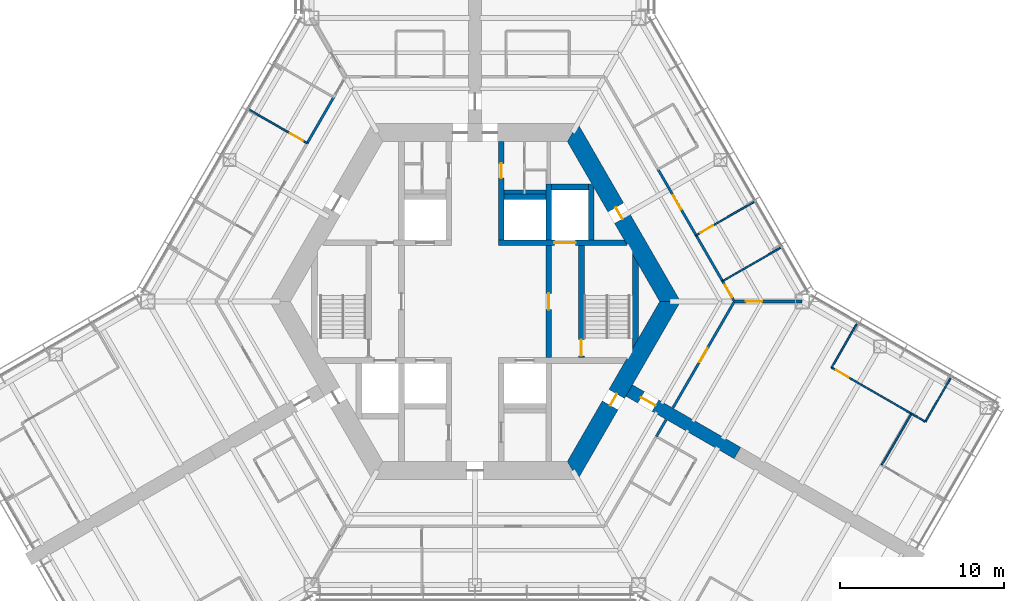
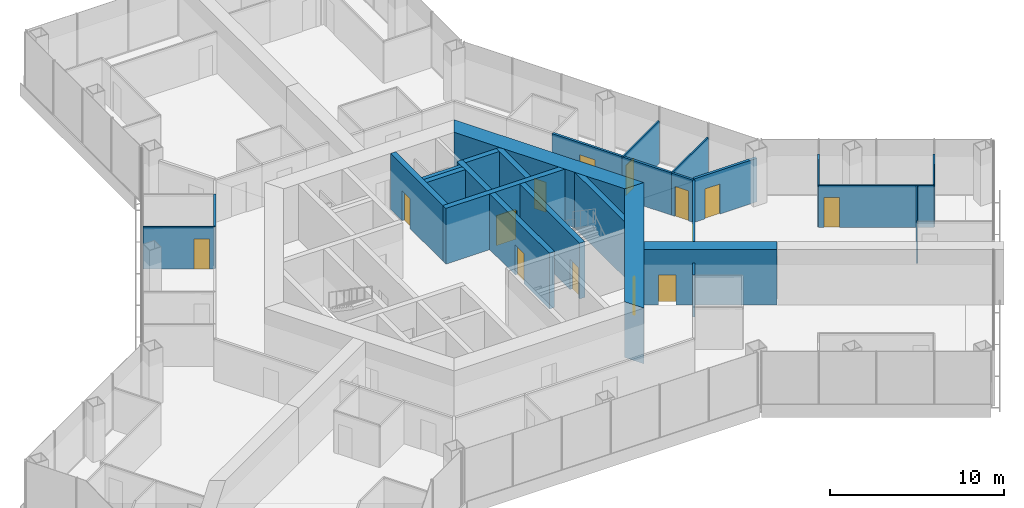
# One storey, part 14 of 19: 28 walls, 14 doors, 14 openings.
"""IFC4 building model written with IfcOpenShell, lengths in metres."""

from ifc_helpers import new_model, si_unit, direction, frame, frame_2d, origin, place, context, subcontext, project, spatial, polyline, rectangle, outline, extrude, material, layer, layer_set, type_object, element, fill, save


model = new_model("IFC4")

# Units and contexts
model_context = context("Model", 3, precision=1e-05, world=origin(), true_north=direction((0.0, 1.0)))
body_context = subcontext(model_context, "Body", "Model", "MODEL_VIEW")
ifc_project = project(units=[si_unit("LENGTHUNIT", "METRE"), si_unit("AREAUNIT", "SQUARE_METRE"), si_unit("VOLUMEUNIT", "CUBIC_METRE"), si_unit("PLANEANGLEUNIT", "RADIAN"), si_unit("MASSUNIT", "GRAM", prefix="KILO")], contexts=[model_context])

# Site, building, storey
site_placement = place(None, origin())
site = spatial("IfcSite", under=ifc_project, at=site_placement, CompositionType="ELEMENT")
building_placement = place(site_placement, origin())
building = spatial("IfcBuilding", under=site, at=building_placement, Name="Kasaneha Research Tower", CompositionType="ELEMENT")
storey_placement = place(building_placement, frame((0.0, 0.0, 104.10009765625)))
storey = spatial("IfcBuildingStorey", under=building, at=storey_placement, Name="L26", CompositionType="ELEMENT", Elevation=104.10009765625)

# Wall, opening, door
ifc_material_1 = material(Name="Concrete Fc80", Category="concrete")
ifc_layer_1 = layer(ifc_material_1, 0.35009765625)
ifc_layer_set_1 = layer_set([ifc_layer_1], Name="Core internal wall 350 Fc80")
wall_type_1 = type_object("IfcWallType", Name="Core internal wall 350 Fc80", PredefinedType="SHEAR", material=ifc_layer_set_1)
wall_1_placement = place(storey_placement, frame((1.425048828125, 3.60009765625, 0.0), z_axis=(0.0, 0.0, 1.0), x_axis=(1.0, 0.0, 0.0)))
wall_1 = element("IfcWall", 1, at=wall_1_placement, inside=storey, type_object=wall_type_1, Name="Core wall W1E L26", PredefinedType="SHEAR", context=body_context, shape_type="SweptSolid", body=[
    extrude(outline(polyline([(0.0, -0.175048828125), (3.425048828125, -0.175048828125), (4.72509765625, -0.175048828125), (7.884765625, -0.175048828125), (7.6826171875, 0.175048828125), (4.72509765625, 0.175048828125), (3.425048828125, 0.175048828125), (0.0, 0.175048828125), (0.0, -0.175048828125)])), origin(), (0.0, 0.0, 1.0), 3.89990234375),
])
opening_1_placement = place(wall_1_placement, frame((3.425048828125, 0.0, 0.0)))
opening_1 = element("IfcOpeningElement", 2, at=opening_1_placement, cuts=wall_1, Name="Opening LD-FL1-L26", PredefinedType="OPENING", context=body_context, shape_type="SweptSolid", body=[
    extrude(rectangle(XDim=1.300048828125, YDim=2.10009765625, at=frame_2d((0.64990234375, 1.050048828125))), frame((0.0, 0.18505859375, 0.0), z_axis=(0.0, -1.0, 0.0), x_axis=(1.0, 0.0, 0.0)), (0.0, 0.0, 1.0), 0.3701171875),
])
ifc_material_2 = material(Name="Steel", Category="steel")
door_type_1 = type_object("IfcDoorType", Name="Lift landing door 1300x2100", OperationType="DOUBLE_DOOR_SLIDING", PredefinedType="DOOR", material=ifc_material_2)
door_1_placement = place(opening_1_placement, origin())
door_1 = element("IfcDoor", 3, at=door_1_placement, inside=storey, type_object=door_type_1, Name="Landing door FL1 LD-FL1-L26", OperationType="DOUBLE_DOOR_SLIDING", OverallHeight=2.10009765625, OverallWidth=1.300048828125, PredefinedType="DOOR", context=body_context, shape_type="SweptSolid", body=[
    extrude(rectangle(XDim=1.300048828125, YDim=2.10009765625, at=frame_2d((0.64990234375, 1.050048828125))), frame((0.0, 0.02490234375, 0.0), z_axis=(0.0, -1.0, 0.0), x_axis=(1.0, 0.0, 0.0)), (0.0, 0.0, 1.0), 0.050048828125),
])
fill(opening_1, door_1)

wall_2_placement = place(storey_placement, frame((1.60009765625, 3.77490234375, 0.0), z_axis=(0.0, 0.0, 1.0), x_axis=(0.0, 1.0, 0.0)))
wall_2 = element("IfcWall", 4, at=wall_2_placement, inside=storey, type_object=wall_type_1, Name="Core wall CNE L26", PredefinedType="SHEAR", context=body_context, shape_type="SweptSolid", body=[
    extrude(rectangle(XDim=6.0, YDim=0.35009765625, at=frame_2d((3.0, 0.0))), origin(), (0.0, 0.0, 1.0), 3.89990234375),
])
opening_2_placement = place(wall_2_placement, frame((3.77490234375, 0.0, 0.0)))
opening_2 = element("IfcOpeningElement", 5, at=opening_2_placement, cuts=wall_2, Name="Opening L26-D14", PredefinedType="OPENING", context=body_context, shape_type="SweptSolid", body=[
    extrude(rectangle(XDim=0.89990234375, YDim=2.10009765625, at=frame_2d((0.449951171875, 1.050048828125))), frame((0.0, 0.18505859375, 0.0), z_axis=(0.0, -1.0, 0.0), x_axis=(1.0, 0.0, 0.0)), (0.0, 0.0, 1.0), 0.3701171875),
])
ifc_material_3 = material(Name="Steel", Category="steel")
door_type_2 = type_object("IfcDoorType", Name="Toilet door FD20 900x2100", OperationType="NOTDEFINED", PredefinedType="DOOR", material=ifc_material_3)
door_2_placement = place(opening_2_placement, origin())
door_2 = element("IfcDoor", 6, at=door_2_placement, inside=storey, type_object=door_type_2, Name="Women's WC door L26-D14", OperationType="SINGLE_SWING_LEFT", OverallHeight=2.10009765625, OverallWidth=0.89990234375, PredefinedType="DOOR", context=body_context, shape_type="SweptSolid", body=[
    extrude(rectangle(XDim=0.89990234375, YDim=2.10009765625, at=frame_2d((0.449951171875, 1.050048828125))), frame((0.0, 0.02490234375, 0.0), z_axis=(0.0, -1.0, 0.0), x_axis=(1.0, 0.0, 0.0)), (0.0, 0.0, 1.0), 0.050048828125),
])
fill(opening_2, door_2)

wall_3_placement = place(storey_placement, frame((4.5, -3.425048828125, 0.0), z_axis=(0.0, 0.0, 1.0), x_axis=(0.0, 1.0, 0.0)))
wall_3 = element("IfcWall", 7, at=wall_3_placement, inside=storey, type_object=wall_type_1, Name="Core wall LBE L26", PredefinedType="SHEAR", context=body_context, shape_type="SweptSolid", body=[
    extrude(rectangle(XDim=6.85009765625, YDim=0.35009765625, at=frame_2d((3.425048828125, 0.0))), origin(), (0.0, 0.0, 1.0), 3.89990234375),
])
opening_3_placement = place(wall_3_placement, frame((2.925048828125, 0.0, 0.0)))
opening_3 = element("IfcOpeningElement", 8, at=opening_3_placement, cuts=wall_3, Name="Opening L26-D08", PredefinedType="OPENING", context=body_context, shape_type="SweptSolid", body=[
    extrude(rectangle(XDim=1.0, YDim=2.10009765625, at=frame_2d((0.5, 1.050048828125))), frame((0.0, 0.18505859375, 0.0), z_axis=(0.0, -1.0, 0.0), x_axis=(1.0, 0.0, 0.0)), (0.0, 0.0, 1.0), 0.3701171875),
])
ifc_material_4 = material(Name="Steel", Category="steel")
door_type_3 = type_object("IfcDoorType", Name="Specified fire door FD60 1000x2100", OperationType="NOTDEFINED", PredefinedType="DOOR", material=ifc_material_4)
door_3_placement = place(opening_3_placement, origin())
door_3 = element("IfcDoor", 9, at=door_3_placement, inside=storey, type_object=door_type_3, Name="Lift lobby door east L26-D08", OperationType="SINGLE_SWING_LEFT", OverallHeight=2.10009765625, OverallWidth=1.0, PredefinedType="DOOR", context=body_context, shape_type="SweptSolid", body=[
    extrude(rectangle(XDim=1.0, YDim=2.10009765625, at=frame_2d((0.5, 1.050048828125))), frame((0.0, 0.02490234375, 0.0), z_axis=(0.0, -1.0, 0.0), x_axis=(1.0, 0.0, 0.0)), (0.0, 0.0, 1.0), 0.050048828125),
])
fill(opening_3, door_3)

wall_4_placement = place(storey_placement, frame((6.5, -3.425048828125, 0.0), z_axis=(0.0, 0.0, 1.0), x_axis=(0.0, 1.0, 0.0)))
wall_4 = element("IfcWall", 10, at=wall_4_placement, inside=storey, type_object=wall_type_1, Name="Core wall ANE L26", PredefinedType="SHEAR", context=body_context, shape_type="SweptSolid", body=[
    extrude(rectangle(XDim=6.85009765625, YDim=0.35009765625, at=frame_2d((3.425048828125, 0.0))), origin(), (0.0, 0.0, 1.0), 3.89990234375),
])
opening_4_placement = place(wall_4_placement, frame((0.10009765625, 0.0, 0.0)))
opening_4 = element("IfcOpeningElement", 11, at=opening_4_placement, cuts=wall_4, Name="Opening L26-D10", PredefinedType="OPENING", context=body_context, shape_type="SweptSolid", body=[
    extrude(rectangle(XDim=1.0, YDim=2.10009765625, at=frame_2d((0.5, 1.050048828125))), frame((0.0, 0.18505859375, 0.0), z_axis=(0.0, -1.0, 0.0), x_axis=(1.0, 0.0, 0.0)), (0.0, 0.0, 1.0), 0.3701171875),
])
door_4_placement = place(opening_4_placement, origin())
door_4 = element("IfcDoor", 12, at=door_4_placement, inside=storey, type_object=door_type_3, Name="Stair 1 door L26-D10", OperationType="SINGLE_SWING_LEFT", OverallHeight=2.10009765625, OverallWidth=1.0, PredefinedType="DOOR", context=body_context, shape_type="SweptSolid", body=[
    extrude(rectangle(XDim=1.0, YDim=2.10009765625, at=frame_2d((0.5, 1.050048828125))), frame((0.0, 0.02490234375, 0.0), z_axis=(0.0, -1.0, 0.0), x_axis=(1.0, 0.0, 0.0)), (0.0, 0.0, 1.0), 0.050048828125),
])
fill(opening_4, door_4)

# Walls
wall_5_placement = place(storey_placement, frame((4.5, 3.77490234375, 0.0), z_axis=(0.0, 0.0, 1.0), x_axis=(0.0, 1.0, 0.0)))
element("IfcWall", 13, at=wall_5_placement, inside=storey, type_object=wall_type_1, Name="Core wall FNE L26", PredefinedType="SHEAR", context=body_context, shape_type="SweptSolid", body=[
    extrude(rectangle(XDim=3.400146484375, YDim=0.35009765625, at=frame_2d((1.7001953125, 0.0))), origin(), (0.0, 0.0, 1.0), 3.89990234375),
])
wall_6_placement = place(storey_placement, frame((1.77490234375, 6.39990234375, 0.0), z_axis=(0.0, 0.0, 1.0), x_axis=(1.0, 0.0, 0.0)))
element("IfcWall", 14, at=wall_6_placement, inside=storey, type_object=wall_type_1, Name="Core wall N3N L26", PredefinedType="SHEAR", context=body_context, shape_type="SweptSolid", body=[
    extrude(rectangle(XDim=2.550048828125, YDim=0.35009765625, at=frame_2d((1.27490234375, 0.0))), origin(), (0.0, 0.0, 1.0), 3.89990234375),
])
wall_7_placement = place(storey_placement, frame((4.675048828125, 7.0, 0.0), z_axis=(0.0, 0.0, 1.0), x_axis=(1.0, 0.0, 0.0)))
element("IfcWall", 15, at=wall_7_placement, inside=storey, type_object=wall_type_1, Name="Core wall F1N L26", PredefinedType="SHEAR", context=body_context, shape_type="SweptSolid", body=[
    extrude(rectangle(XDim=2.25, YDim=0.35009765625, at=frame_2d((1.125, 0.0))), origin(), (0.0, 0.0, 1.0), 3.89990234375),
])
wall_8_placement = place(storey_placement, frame((7.10009765625, 3.77490234375, 0.0), z_axis=(0.0, 0.0, 1.0), x_axis=(0.0, 1.0, 0.0)))
element("IfcWall", 16, at=wall_8_placement, inside=storey, type_object=wall_type_1, Name="Core wall F1E L26", PredefinedType="SHEAR", context=body_context, shape_type="SweptSolid", body=[
    extrude(outline(polyline([(0.0, -0.175048828125), (3.174560546875, -0.175048828125), (3.400146484375, 0.0), (3.400146484375, 0.175048828125), (0.0, 0.175048828125), (0.0, -0.175048828125)])), origin(), (0.0, 0.0, 1.0), 3.89990234375),
])
wall_9_placement = place(storey_placement, frame((9.807861328125, -2.562255859375, 0.0), z_axis=(0.0, 0.0, 1.0), x_axis=(0.0, 1.0, 0.0)))
element("IfcWall", 17, at=wall_9_placement, inside=storey, type_object=wall_type_1, Name="Core wall STE L26", PredefinedType="SHEAR", context=body_context, shape_type="SweptSolid", body=[
    extrude(outline(polyline([(0.30322265625, -0.175048828125), (4.8212890625, -0.175048828125), (5.427734375, 0.175048828125), (-0.30322265625, 0.175048828125), (0.30322265625, -0.175048828125)])), origin(), (0.0, 0.0, 1.0), 3.89990234375),
])

# Wall, opening, door
ifc_material_5 = material(Name="Concrete Fc80", Category="concrete")
ifc_layer_2 = layer(ifc_material_5, 1.10009765625)
ifc_layer_set_2 = layer_set([ifc_layer_2], Name="Core wall 1100 Fc80")
wall_type_2 = type_object("IfcWallType", Name="Core wall 1100 Fc80", PredefinedType="SHEAR", material=ifc_layer_set_2)
wall_10_placement = place(storey_placement, frame((11.92236328125, 0.0, 0.0), z_axis=(0.0, 0.0, 1.0), x_axis=(-0.500004296715, 0.866022923061, 0.0)))
wall_10 = element("IfcWall", 18, at=wall_10_placement, inside=storey, type_object=wall_type_2, Name="Core wall 030 L26", PredefinedType="SHEAR", context=body_context, shape_type="SweptSolid", body=[
    extrude(outline(polyline([(-0.317626953125, -0.550048828125), (5.83544921875, -0.550048828125), (6.635498046875, -0.550048828125), (12.239990234375, -0.550048828125), (11.604736328125, 0.550048828125), (6.635498046875, 0.550048828125), (5.83544921875, 0.550048828125), (0.317626953125, 0.550048828125), (-0.317626953125, -0.550048828125)])), origin(), (0.0, 0.0, 1.0), 3.89990234375),
])
opening_5_placement = place(wall_10_placement, frame((5.83544921875, 0.0, 0.0)))
opening_5 = element("IfcOpeningElement", 19, at=opening_5_placement, cuts=wall_10, Name="Opening L26-D04", PredefinedType="OPENING", context=body_context, shape_type="SweptSolid", body=[
    extrude(rectangle(XDim=0.800048828125, YDim=2.10009765625, at=frame_2d((0.39990234375, 1.050048828125))), frame((0.0, 0.56005859375, 0.0), z_axis=(0.0, -1.0, 0.0), x_axis=(1.0, 0.0, 0.0)), (0.0, 0.0, 1.0), 1.1201171875),
])
ifc_material_6 = material(Name="Steel", Category="steel")
door_type_4 = type_object("IfcDoorType", Name="Riser access door FD60 800x2100", OperationType="NOTDEFINED", PredefinedType="DOOR", material=ifc_material_6)
door_5_placement = place(opening_5_placement, origin())
door_5 = element("IfcDoor", 20, at=door_5_placement, inside=storey, type_object=door_type_4, Name="Pipe riser door L26-D04", OperationType="SINGLE_SWING_RIGHT", OverallHeight=2.10009765625, OverallWidth=0.800048828125, PredefinedType="DOOR", context=body_context, shape_type="SweptSolid", body=[
    extrude(rectangle(XDim=0.800048828125, YDim=2.10009765625, at=frame_2d((0.39990234375, 1.050048828125))), frame((0.0, 0.02490234375, 0.0), z_axis=(0.0, -1.0, 0.0), x_axis=(1.0, 0.0, 0.0)), (0.0, 0.0, 1.0), 0.050048828125),
])
fill(opening_5, door_5)

wall_11_placement = place(storey_placement, frame((5.961181640625, -10.324951171875, 0.0), z_axis=(0.0, 0.0, 1.0), x_axis=(0.500004296715, 0.866022923061, 0.0)))
wall_11 = element("IfcWall", 21, at=wall_11_placement, inside=storey, type_object=wall_type_2, Name="Core wall 330 L26", PredefinedType="SHEAR", context=body_context, shape_type="SweptSolid", body=[
    extrude(outline(polyline([(-0.317626953125, -0.550048828125), (4.593994140625, -0.550048828125), (5.39404296875, -0.550048828125), (12.239990234375, -0.550048828125), (11.604736328125, 0.550048828125), (5.39404296875, 0.550048828125), (4.593994140625, 0.550048828125), (0.317626953125, 0.550048828125), (-0.317626953125, -0.550048828125)])), origin(), (0.0, 0.0, 1.0), 3.89990234375),
])
opening_6_placement = place(wall_11_placement, frame((4.593994140625, 0.0, 0.0)))
opening_6 = element("IfcOpeningElement", 22, at=opening_6_placement, cuts=wall_11, Name="Opening L26-D05", PredefinedType="OPENING", context=body_context, shape_type="SweptSolid", body=[
    extrude(rectangle(XDim=0.800048828125, YDim=2.10009765625, at=frame_2d((0.39990234375, 1.050048828125))), frame((0.0, 0.56005859375, 0.0), z_axis=(0.0, -1.0, 0.0), x_axis=(1.0, 0.0, 0.0)), (0.0, 0.0, 1.0), 1.1201171875),
])
door_6_placement = place(opening_6_placement, origin())
door_6 = element("IfcDoor", 23, at=door_6_placement, inside=storey, type_object=door_type_4, Name="Pipe riser door L26-D05", OperationType="SINGLE_SWING_LEFT", OverallHeight=2.10009765625, OverallWidth=0.800048828125, PredefinedType="DOOR", context=body_context, shape_type="SweptSolid", body=[
    extrude(rectangle(XDim=0.800048828125, YDim=2.10009765625, at=frame_2d((0.39990234375, 1.050048828125))), frame((0.0, 0.02490234375, 0.0), z_axis=(0.0, -1.0, 0.0), x_axis=(1.0, 0.0, 0.0)), (0.0, 0.0, 1.0), 0.050048828125),
])
fill(opening_6, door_6)

# Wall
ifc_material_7 = material(Name="Gypsum board on steel studs, one layer each side", Category="steel")
ifc_layer_3 = layer(ifc_material_7, 0.10009765625)
ifc_layer_set_3 = layer_set([ifc_layer_3], Name="Office partition 100")
wall_type_3 = type_object("IfcWallType", Name="Office partition 100", PredefinedType="PARTITIONING", material=ifc_layer_set_3)
wall_12_placement = place(storey_placement, frame((18.662109375, 3.27734375, 0.0), z_axis=(0.0, 0.0, 1.0), x_axis=(-0.866635015839, -0.498942631293, 0.0)))
element("IfcWall", 24, at=wall_12_placement, inside=storey, type_object=wall_type_3, Name="Office partition FAE21 L26", PredefinedType="PARTITIONING", context=body_context, shape_type="SweptSolid", body=[
    extrude(rectangle(XDim=4.075439453125, YDim=0.10009765625, at=frame_2d((2.03759765625, 0.0))), origin(), (0.0, 0.0, 1.0), 2.949951171875),
])

# Wall, opening, door
wall_13_placement = place(storey_placement, frame((13.51171875, 4.047119140625, 0.0), z_axis=(0.0, 0.0, 1.0), x_axis=(0.865456213931, 0.500984572385, 0.0)))
wall_13 = element("IfcWall", 25, at=wall_13_placement, inside=storey, type_object=wall_type_3, Name="Office partition FAE22 L26", PredefinedType="PARTITIONING", context=body_context, shape_type="SweptSolid", body=[
    extrude(rectangle(XDim=4.095458984375, YDim=0.10009765625, at=frame_2d((2.0478515625, 0.0))), origin(), (0.0, 0.0, 1.0), 2.949951171875),
])
opening_7_placement = place(wall_13_placement, frame((0.300048828125, 0.0, 0.0)))
opening_7 = element("IfcOpeningElement", 26, at=opening_7_placement, cuts=wall_13, Name="Opening L26-D34", PredefinedType="OPENING", context=body_context, shape_type="SweptSolid", body=[
    extrude(rectangle(XDim=0.89990234375, YDim=2.10009765625, at=frame_2d((0.449951171875, 1.050048828125))), frame((0.0, 0.06005859375, 0.0), z_axis=(0.0, -1.0, 0.0), x_axis=(1.0, 0.0, 0.0)), (0.0, 0.0, 1.0), 0.1201171875),
])
ifc_material_8 = material(Name="Timber veneer", Category="wood")
door_type_5 = type_object("IfcDoorType", Name="Office door 900x2100", OperationType="SINGLE_SWING_LEFT", PredefinedType="DOOR", material=ifc_material_8)
door_7_placement = place(opening_7_placement, origin())
door_7 = element("IfcDoor", 27, at=door_7_placement, inside=storey, type_object=door_type_5, Name="Reception room door L26-D34", OperationType="SINGLE_SWING_LEFT", OverallHeight=2.10009765625, OverallWidth=0.89990234375, PredefinedType="DOOR", context=body_context, shape_type="SweptSolid", body=[
    extrude(rectangle(XDim=0.89990234375, YDim=2.10009765625, at=frame_2d((0.449951171875, 1.050048828125))), frame((0.0, 0.02490234375, 0.0), z_axis=(0.0, -1.0, 0.0), x_axis=(1.0, 0.0, 0.0)), (0.0, 0.0, 1.0), 0.050048828125),
])
fill(opening_7, door_7)

wall_14_placement = place(storey_placement, frame((-10.2607421875, 9.677734375, 0.0), z_axis=(0.0, 0.0, 1.0), x_axis=(-0.866571988865, 0.499052089581, 0.0)))
wall_14 = element("IfcWall", 28, at=wall_14_placement, inside=storey, type_object=wall_type_3, Name="Office partition FBN16 L26", PredefinedType="PARTITIONING", context=body_context, shape_type="SweptSolid", body=[
    extrude(rectangle(XDim=4.12060546875, YDim=0.10009765625, at=frame_2d((2.060302734375, 0.0))), origin(), (0.0, 0.0, 1.0), 2.949951171875),
])
opening_8_placement = place(wall_14_placement, frame((0.300048828125, 0.0, 0.0)))
opening_8 = element("IfcOpeningElement", 29, at=opening_8_placement, cuts=wall_14, Name="Opening L26-D46", PredefinedType="OPENING", context=body_context, shape_type="SweptSolid", body=[
    extrude(rectangle(XDim=0.89990234375, YDim=2.10009765625, at=frame_2d((0.449951171875, 1.050048828125))), frame((0.0, 0.06005859375, 0.0), z_axis=(0.0, -1.0, 0.0), x_axis=(1.0, 0.0, 0.0)), (0.0, 0.0, 1.0), 0.1201171875),
])
door_8_placement = place(opening_8_placement, origin())
door_8 = element("IfcDoor", 30, at=door_8_placement, inside=storey, type_object=door_type_5, Name="Project room door L26-D46", OperationType="SINGLE_SWING_LEFT", OverallHeight=2.10009765625, OverallWidth=0.89990234375, PredefinedType="DOOR", context=body_context, shape_type="SweptSolid", body=[
    extrude(rectangle(XDim=0.89990234375, YDim=2.10009765625, at=frame_2d((0.449951171875, 1.050048828125))), frame((0.0, 0.02490234375, 0.0), z_axis=(0.0, -1.0, 0.0), x_axis=(1.0, 0.0, 0.0)), (0.0, 0.0, 1.0), 0.050048828125),
])
fill(opening_8, door_8)

# Walls
wall_15_placement = place(storey_placement, frame((27.52490234375, -7.3466796875, 0.0), z_axis=(0.0, 0.0, 1.0), x_axis=(-0.866030338286, 0.499991453095, 0.0)))
element("IfcWall", 31, at=wall_15_placement, inside=storey, type_object=wall_type_3, Name="Office partition FCE02 L26", PredefinedType="PARTITIONING", context=body_context, shape_type="SweptSolid", body=[
    extrude(rectangle(XDim=0.9951171875, YDim=0.10009765625, at=frame_2d((0.49755859375, 0.0))), origin(), (0.0, 0.0, 1.0), 2.949951171875),
])
wall_16_placement = place(storey_placement, frame((29.0625, -4.68359375, 0.0), z_axis=(0.0, 0.0, 1.0), x_axis=(-0.500015675843, -0.866016353143, 0.0)))
element("IfcWall", 32, at=wall_16_placement, inside=storey, type_object=wall_type_3, Name="Office partition FCE03 L26", PredefinedType="PARTITIONING", context=body_context, shape_type="SweptSolid", body=[
    extrude(rectangle(XDim=3.0751953125, YDim=0.10009765625, at=frame_2d((1.53759765625, 0.0))), origin(), (0.0, 0.0, 1.0), 2.949951171875),
])
wall_17_placement = place(storey_placement, frame((21.792236328125, -4.037109375, 0.0), z_axis=(0.0, 0.0, 1.0), x_axis=(0.499992328818, 0.866029832698, 0.0)))
element("IfcWall", 33, at=wall_17_placement, inside=storey, type_object=wall_type_3, Name="Office partition FCE04 L26", PredefinedType="PARTITIONING", context=body_context, shape_type="SweptSolid", body=[
    extrude(rectangle(XDim=3.080078125, YDim=0.10009765625, at=frame_2d((1.5400390625, 0.0))), origin(), (0.0, 0.0, 1.0), 2.949951171875),
])

# Wall, opening, door
wall_18_placement = place(storey_placement, frame((26.67138671875, -6.85400390625, 0.0), z_axis=(0.0, 0.0, 1.0), x_axis=(-0.8660318798, 0.499988783044, 0.0)))
wall_18 = element("IfcWall", 34, at=wall_18_placement, inside=storey, type_object=wall_type_3, Name="Office partition FCE05 L26", PredefinedType="PARTITIONING", context=body_context, shape_type="SweptSolid", body=[
    extrude(rectangle(XDim=5.634033203125, YDim=0.10009765625, at=frame_2d((2.81689453125, 0.0))), origin(), (0.0, 0.0, 1.0), 2.949951171875),
])
opening_9_placement = place(wall_18_placement, frame((4.433837890625, 0.0, 0.0)))
opening_9 = element("IfcOpeningElement", 35, at=opening_9_placement, cuts=wall_18, Name="Opening L26-D51", PredefinedType="OPENING", context=body_context, shape_type="SweptSolid", body=[
    extrude(rectangle(XDim=0.89990234375, YDim=2.10009765625, at=frame_2d((0.449951171875, 1.050048828125))), frame((0.0, 0.06005859375, 0.0), z_axis=(0.0, -1.0, 0.0), x_axis=(1.0, 0.0, 0.0)), (0.0, 0.0, 1.0), 0.1201171875),
])
door_9_placement = place(opening_9_placement, origin())
door_9 = element("IfcDoor", 36, at=door_9_placement, inside=storey, type_object=door_type_5, Name="Manager's office door L26-D51", OperationType="SINGLE_SWING_RIGHT", OverallHeight=2.10009765625, OverallWidth=0.89990234375, PredefinedType="DOOR", context=body_context, shape_type="SweptSolid", body=[
    extrude(rectangle(XDim=0.89990234375, YDim=2.10009765625, at=frame_2d((0.449951171875, 1.050048828125))), frame((0.0, 0.02490234375, 0.0), z_axis=(0.0, -1.0, 0.0), x_axis=(1.0, 0.0, 0.0)), (0.0, 0.0, 1.0), 0.050048828125),
])
fill(opening_9, door_9)

# Wall
wall_19_placement = place(storey_placement, frame((24.850830078125, -9.998291015625, 0.0), z_axis=(0.0, 0.0, 1.0), x_axis=(0.501073352817, 0.865404815735, 0.0)))
element("IfcWall", 37, at=wall_19_placement, inside=storey, type_object=wall_type_3, Name="Office partition FCE06 L26", PredefinedType="PARTITIONING", context=body_context, shape_type="SweptSolid", body=[
    extrude(rectangle(XDim=3.63330078125, YDim=0.10009765625, at=frame_2d((1.816650390625, 0.0))), origin(), (0.0, 0.0, 1.0), 2.949951171875),
])

# Wall, opening, door
ifc_material_9 = material(Name="Concrete Fc80", Category="concrete")
ifc_layer_4 = layer(ifc_material_9, 0.800048828125)
ifc_layer_set_4 = layer_set([ifc_layer_4], Name="Spine wall 800 Fc80")
wall_type_4 = type_object("IfcWallType", Name="Spine wall 800 Fc80", PredefinedType="SHEAR", material=ifc_layer_set_4)
wall_20_placement = place(storey_placement, frame((9.41796875, -5.4375, 0.0), z_axis=(0.0, 0.0, 1.0), x_axis=(0.866029782078, -0.499992416496, 0.0)))
wall_20 = element("IfcWall", 38, at=wall_20_placement, inside=storey, type_object=wall_type_4, Name="Spine wall C L26", PredefinedType="SHEAR", context=body_context, shape_type="SweptSolid", body=[
    extrude(rectangle(XDim=7.6455078125, YDim=0.800048828125, at=frame_2d((3.82275390625, 0.0))), origin(), (0.0, 0.0, 1.0), 3.89990234375),
])
opening_10_placement = place(wall_20_placement, frame((0.85009765625, 0.0, 0.0)))
opening_10 = element("IfcOpeningElement", 39, at=opening_10_placement, cuts=wall_20, Name="Opening L26-D19", PredefinedType="OPENING", context=body_context, shape_type="SweptSolid", body=[
    extrude(rectangle(XDim=1.0, YDim=2.10009765625, at=frame_2d((0.5, 1.050048828125))), frame((0.0, 0.41015625, 0.0), z_axis=(0.0, -1.0, 0.0), x_axis=(1.0, 0.0, 0.0)), (0.0, 0.0, 1.0), 0.820068359375),
])
door_10_placement = place(opening_10_placement, origin())
door_10 = element("IfcDoor", 40, at=door_10_placement, inside=storey, type_object=door_type_3, Name="Spine doorway C L26-D19", OperationType="SINGLE_SWING_LEFT", OverallHeight=2.10009765625, OverallWidth=1.0, PredefinedType="DOOR", context=body_context, shape_type="SweptSolid", body=[
    extrude(rectangle(XDim=1.0, YDim=2.10009765625, at=frame_2d((0.5, 1.050048828125))), frame((0.0, 0.02490234375, 0.0), z_axis=(0.0, -1.0, 0.0), x_axis=(1.0, 0.0, 0.0)), (0.0, 0.0, 1.0), 0.050048828125),
])
fill(opening_10, door_10)

# Wall
ifc_material_10 = material(Name="Gypsum board on steel studs, two layers each side", Category="steel")
ifc_layer_5 = layer(ifc_material_10, 0.14990234375)
ifc_layer_set_5 = layer_set([ifc_layer_5], Name="Suite partition 150")
wall_type_5 = type_object("IfcWallType", Name="Suite partition 150", PredefinedType="PARTITIONING", material=ifc_layer_set_5)
wall_21_placement = place(storey_placement, frame((13.5068359375, 4.055419921875, 0.0), z_axis=(0.0, 0.0, 1.0), x_axis=(0.499969057507, -0.866043267704, 0.0)))
element("IfcWall", 41, at=wall_21_placement, inside=storey, type_object=wall_type_5, Name="Suite partition FAE03 L26", PredefinedType="PARTITIONING", context=body_context, shape_type="SweptSolid", body=[
    extrude(rectangle(XDim=3.256591796875, YDim=0.14990234375, at=frame_2d((1.62841796875, 0.0))), origin(), (0.0, 0.0, 1.0), 2.949951171875),
])

# Wall, opening, door
wall_22_placement = place(storey_placement, frame((15.130126953125, 1.243896484375, 0.0), z_axis=(0.0, 0.0, 1.0), x_axis=(0.499966713218, -0.866044621064, 0.0)))
wall_22 = element("IfcWall", 42, at=wall_22_placement, inside=storey, type_object=wall_type_5, Name="Suite partition FAE04 L26", PredefinedType="PARTITIONING", context=body_context, shape_type="SweptSolid", body=[
    extrude(rectangle(XDim=1.4130859375, YDim=0.14990234375, at=frame_2d((0.70654296875, 0.0))), origin(), (0.0, 0.0, 1.0), 2.949951171875),
])
opening_11_placement = place(wall_22_placement, frame((0.25, 0.0, 0.0)))
opening_11 = element("IfcOpeningElement", 43, at=opening_11_placement, cuts=wall_22, Name="Opening L26-D28", PredefinedType="OPENING", context=body_context, shape_type="SweptSolid", body=[
    extrude(rectangle(XDim=0.89990234375, YDim=2.10009765625, at=frame_2d((0.449951171875, 1.050048828125))), frame((0.0, 0.0849609375, 0.0), z_axis=(0.0, -1.0, 0.0), x_axis=(1.0, 0.0, 0.0)), (0.0, 0.0, 1.0), 0.169921875),
])
door_11_placement = place(opening_11_placement, origin())
door_11 = element("IfcDoor", 44, at=door_11_placement, inside=storey, type_object=door_type_5, Name="Workroom door L26-D28", OperationType="SINGLE_SWING_LEFT", OverallHeight=2.10009765625, OverallWidth=0.89990234375, PredefinedType="DOOR", context=body_context, shape_type="SweptSolid", body=[
    extrude(rectangle(XDim=0.89990234375, YDim=2.10009765625, at=frame_2d((0.449951171875, 1.050048828125))), frame((0.0, 0.02490234375, 0.0), z_axis=(0.0, -1.0, 0.0), x_axis=(1.0, 0.0, 0.0)), (0.0, 0.0, 1.0), 0.050048828125),
])
fill(opening_11, door_11)

wall_23_placement = place(storey_placement, frame((11.18408203125, 8.078857421875, 0.0), z_axis=(0.0, 0.0, 1.0), x_axis=(0.499985748238, -0.866033631887, 0.0)))
wall_23 = element("IfcWall", 45, at=wall_23_placement, inside=storey, type_object=wall_type_5, Name="Suite partition FAE08 L26", PredefinedType="PARTITIONING", context=body_context, shape_type="SweptSolid", body=[
    extrude(rectangle(XDim=4.655517578125, YDim=0.14990234375, at=frame_2d((2.32763671875, 0.0))), origin(), (0.0, 0.0, 1.0), 2.949951171875),
])
opening_12_placement = place(wall_23_placement, frame((1.82763671875, 0.0, 0.0)))
opening_12 = element("IfcOpeningElement", 46, at=opening_12_placement, cuts=wall_23, Name="Opening L26-D29", PredefinedType="OPENING", context=body_context, shape_type="SweptSolid", body=[
    extrude(rectangle(XDim=1.0, YDim=2.10009765625, at=frame_2d((0.5, 1.050048828125))), frame((0.0, 0.0849609375, 0.0), z_axis=(0.0, -1.0, 0.0), x_axis=(1.0, 0.0, 0.0)), (0.0, 0.0, 1.0), 0.169921875),
])
ifc_material_11 = material(Name="Steel", Category="steel")
door_type_6 = type_object("IfcDoorType", Name="Suite entrance door FD60 1000x2100", OperationType="NOTDEFINED", PredefinedType="DOOR", material=ifc_material_11)
door_12_placement = place(opening_12_placement, origin())
door_12 = element("IfcDoor", 47, at=door_12_placement, inside=storey, type_object=door_type_6, Name="Suite entrance door L26-D29", OperationType="SINGLE_SWING_LEFT", OverallHeight=2.10009765625, OverallWidth=1.0, PredefinedType="DOOR", context=body_context, shape_type="SweptSolid", body=[
    extrude(rectangle(XDim=1.0, YDim=2.10009765625, at=frame_2d((0.5, 1.050048828125))), frame((0.0, 0.02490234375, 0.0), z_axis=(0.0, -1.0, 0.0), x_axis=(1.0, 0.0, 0.0)), (0.0, 0.0, 1.0), 0.050048828125),
])
fill(opening_12, door_12)

# Wall
wall_24_placement = place(storey_placement, frame((-10.265380859375, 9.669677734375, 0.0), z_axis=(0.0, 0.0, 1.0), x_axis=(0.500001520505, 0.866024525919, 0.0)))
element("IfcWall", 48, at=wall_24_placement, inside=storey, type_object=wall_type_5, Name="Suite partition FBN02 L26", PredefinedType="PARTITIONING", context=body_context, shape_type="SweptSolid", body=[
    extrude(rectangle(XDim=3.25634765625, YDim=0.14990234375, at=frame_2d((1.628173828125, 0.0))), origin(), (0.0, 0.0, 1.0), 2.949951171875),
])

# Wall, opening, door
wall_25_placement = place(storey_placement, frame((15.836669921875, -0.02001953125, 0.0), z_axis=(0.0, 0.0, 1.0), x_axis=(-0.499996473158, -0.866027439998, 0.0)))
wall_25 = element("IfcWall", 49, at=wall_25_placement, inside=storey, type_object=wall_type_5, Name="Suite partition FCE01 L26", PredefinedType="PARTITIONING", context=body_context, shape_type="SweptSolid", body=[
    extrude(rectangle(XDim=7.48095703125, YDim=0.14990234375, at=frame_2d((3.740478515625, 0.0))), origin(), (0.0, 0.0, 1.0), 2.949951171875),
])
opening_13_placement = place(wall_25_placement, frame((3.240478515625, 0.0, 0.0)))
opening_13 = element("IfcOpeningElement", 50, at=opening_13_placement, cuts=wall_25, Name="Opening L26-D50", PredefinedType="OPENING", context=body_context, shape_type="SweptSolid", body=[
    extrude(rectangle(XDim=1.0, YDim=2.10009765625, at=frame_2d((0.5, 1.050048828125))), frame((0.0, 0.0849609375, 0.0), z_axis=(0.0, -1.0, 0.0), x_axis=(1.0, 0.0, 0.0)), (0.0, 0.0, 1.0), 0.169921875),
])
door_13_placement = place(opening_13_placement, origin())
door_13 = element("IfcDoor", 51, at=door_13_placement, inside=storey, type_object=door_type_6, Name="Suite entrance door L26-D50", OperationType="SINGLE_SWING_LEFT", OverallHeight=2.10009765625, OverallWidth=1.0, PredefinedType="DOOR", context=body_context, shape_type="SweptSolid", body=[
    extrude(rectangle(XDim=1.0, YDim=2.10009765625, at=frame_2d((0.5, 1.050048828125))), frame((0.0, 0.02490234375, 0.0), z_axis=(0.0, -1.0, 0.0), x_axis=(1.0, 0.0, 0.0)), (0.0, 0.0, 1.0), 0.050048828125),
])
fill(opening_13, door_13)

# Wall
wall_26_placement = place(storey_placement, frame((11.67626953125, -7.226318359375, 0.0), z_axis=(0.0, 0.0, 1.0), x_axis=(-0.500085263423, -0.865976171327, 0.0)))
element("IfcWall", 52, at=wall_26_placement, inside=storey, type_object=wall_type_5, Name="Suite partition FCS05 L26", PredefinedType="PARTITIONING", context=body_context, shape_type="SweptSolid", body=[
    extrude(rectangle(XDim=1.184326171875, YDim=0.14990234375, at=frame_2d((0.59228515625, 0.0))), origin(), (0.0, 0.0, 1.0), 2.949951171875),
])

# Wall, opening, door
ifc_material_12 = material(Name="Gypsum board on steel studs, two layers each side", Category="steel")
ifc_layer_6 = layer(ifc_material_12, 0.175048828125)
ifc_layer_set_6 = layer_set([ifc_layer_6], Name="Tenancy fire partition 175")
wall_type_6 = type_object("IfcWallType", Name="Tenancy fire partition 175", PredefinedType="PARTITIONING", material=ifc_layer_set_6)
wall_27_placement = place(storey_placement, frame((15.84814453125, 0.0, 0.0), z_axis=(0.0, 0.0, 1.0), x_axis=(1.0, 0.0, 0.0)))
wall_27 = element("IfcWall", 53, at=wall_27_placement, inside=storey, type_object=wall_type_6, Name="Tenancy fire partition T000 L26", PredefinedType="PARTITIONING", context=body_context, shape_type="SweptSolid", body=[
    extrude(rectangle(XDim=4.15185546875, YDim=0.175048828125, at=frame_2d((2.075927734375, 0.0))), origin(), (0.0, 0.0, 1.0), 3.0498046875),
])
opening_14_placement = place(wall_27_placement, frame((0.699951171875, 0.0, 0.0)))
opening_14 = element("IfcOpeningElement", 54, at=opening_14_placement, cuts=wall_27, Name="Opening L26-D24", PredefinedType="OPENING", context=body_context, shape_type="SweptSolid", body=[
    extrude(rectangle(XDim=1.0, YDim=2.10009765625, at=frame_2d((0.5, 1.050048828125))), frame((0.0, 0.09765625, 0.0), z_axis=(0.0, -1.0, 0.0), x_axis=(1.0, 0.0, 0.0)), (0.0, 0.0, 1.0), 0.195068359375),
])
door_14_placement = place(opening_14_placement, origin())
door_14 = element("IfcDoor", 55, at=door_14_placement, inside=storey, type_object=door_type_6, Name="Connecting door L26-D24", OperationType="SINGLE_SWING_LEFT", OverallHeight=2.10009765625, OverallWidth=1.0, PredefinedType="DOOR", context=body_context, shape_type="SweptSolid", body=[
    extrude(rectangle(XDim=1.0, YDim=2.10009765625, at=frame_2d((0.5, 1.050048828125))), frame((0.0, 0.02490234375, 0.0), z_axis=(0.0, -1.0, 0.0), x_axis=(1.0, 0.0, 0.0)), (0.0, 0.0, 1.0), 0.050048828125),
])
fill(opening_14, door_14)

# Wall
ifc_material_13 = material(Name="Concrete block lining", Category="concrete")
ifc_layer_7 = layer(ifc_material_13, 0.25)
ifc_layer_set_7 = layer_set([ifc_layer_7], Name="WC plumbing wall 250")
wall_type_7 = type_object("IfcWallType", Name="WC plumbing wall 250", PredefinedType="PLUMBINGWALL", material=ifc_layer_set_7)
wall_28_placement = place(storey_placement, frame((1.77490234375, 6.699951171875, 0.0), z_axis=(0.0, 0.0, 1.0), x_axis=(1.0, 0.0, 0.0)))
element("IfcWall", 56, at=wall_28_placement, inside=storey, type_object=wall_type_7, Name="WC plumbing wall F L26", PredefinedType="PLUMBINGWALL", context=body_context, shape_type="SweptSolid", body=[
    extrude(rectangle(XDim=2.550048828125, YDim=0.25, at=frame_2d((1.27490234375, 0.0))), origin(), (0.0, 0.0, 1.0), 3.89990234375),
])

save(model, "model.ifc")
